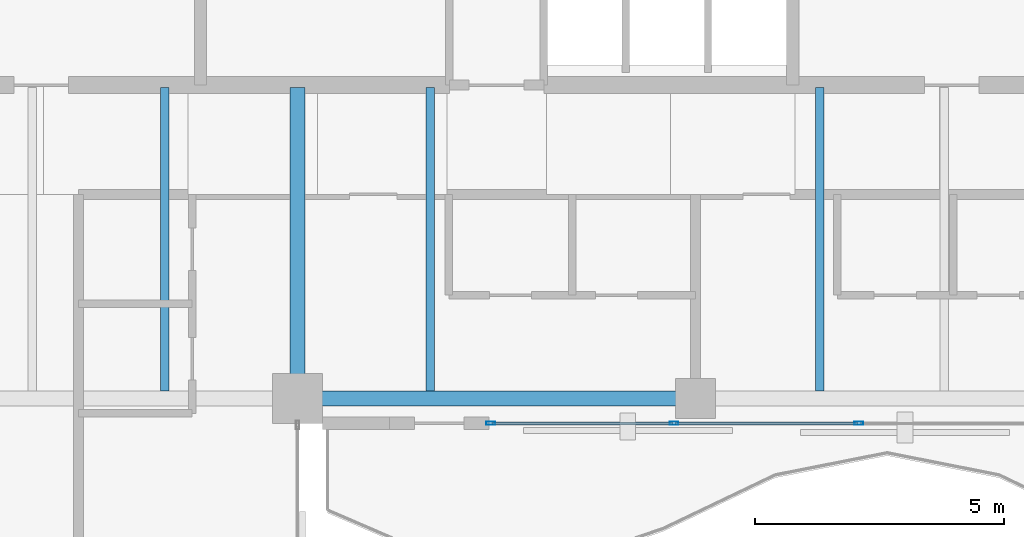
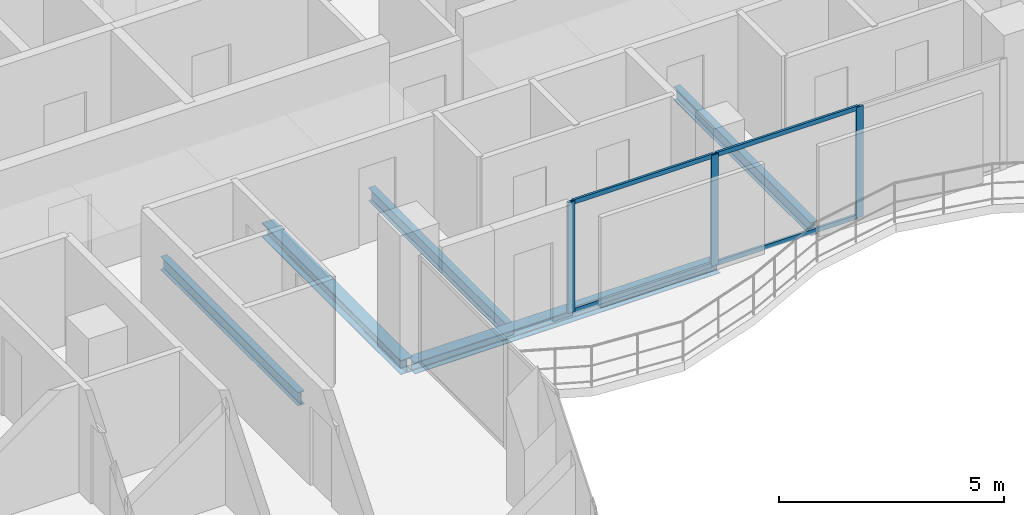
# One storey, part 11 of 24: 7 members, 5 beams, 1 element without a shape of its own.
"""IFC4 building model written with IfcOpenShell, lengths in metres."""

from ifc_helpers import new_model, si_unit, direction, frame, origin, origin_2d, place, context, subcontext, project, spatial, hollow_rectangle, i_section, extrude, material, layer, layer_set, material_profile, profile_set, type_object, element, aggregate, save


model = new_model("IFC4")

# Units and contexts
model_context = context("Model", 3, precision=1e-05, world=origin(), true_north=direction((0.0, 1.0)))
body_context = subcontext(model_context, "Body", "Model", "MODEL_VIEW")
ifc_project = project(units=[si_unit("LENGTHUNIT", "METRE"), si_unit("AREAUNIT", "SQUARE_METRE"), si_unit("VOLUMEUNIT", "CUBIC_METRE"), si_unit("PLANEANGLEUNIT", "RADIAN"), si_unit("MASSUNIT", "GRAM", prefix="KILO")], contexts=[model_context])

# Site, building, storey
site_placement = place(None, origin())
site = spatial("IfcSite", under=ifc_project, at=site_placement, CompositionType="ELEMENT")
building_placement = place(site_placement, origin())
building = spatial("IfcBuilding", under=site, at=building_placement, Name="Catumbela Crestline Tower", CompositionType="ELEMENT")
storey_placement = place(building_placement, frame((0.0, 0.0, 154.2)))
storey = spatial("IfcBuildingStorey", under=building, at=storey_placement, Name="L39", CompositionType="ELEMENT", Elevation=154.2)

# Beams
ifc_material_1 = material(Name="Structural steel S355J2", Category="steel")
ifc_material_profile_1 = material_profile(ifc_material_1, i_section(OverallWidth=0.3, OverallDepth=0.39, WebThickness=0.011, FlangeThickness=0.019, FilletRadius=0.027, at=origin_2d()), Name="HEA 400")
ifc_profile_set_1 = profile_set([ifc_material_profile_1], Name="Structural steel S355J2")
beam_type_1 = type_object("IfcBeamType", Name="BG-HEA400", PredefinedType="BEAM", material=ifc_profile_set_1)
beam_1_placement = place(storey_placement, frame((24.0, 24.58, -0.455), z_axis=(0.0, 1.0, 0.0), x_axis=(-1.0, 0.0, 0.0)))
element("IfcBeam", 1, at=beam_1_placement, inside=storey, type_object=beam_type_1, Name="L39 Beam BM-L39-SNS18", PredefinedType="BEAM", context=body_context, shape_type="SweptSolid", body=[
    extrude(i_section(OverallWidth=0.3, OverallDepth=0.39, WebThickness=0.011, FlangeThickness=0.019, FilletRadius=0.027, at=origin_2d()), origin(), (0.0, 0.0, 1.0), 6.17),
])
ifc_material_profile_2 = material_profile(ifc_material_1, i_section(OverallWidth=0.17, OverallDepth=0.36, WebThickness=0.008, FlangeThickness=0.0127, FilletRadius=0.018, at=origin_2d()), Name="IPE 360")
ifc_profile_set_2 = profile_set([ifc_material_profile_2], Name="Structural steel S355J2")
beam_type_2 = type_object("IfcBeamType", Name="BJ-IPE360", PredefinedType="JOIST", material=ifc_profile_set_2)
for number, where, z_axis, x_axis, name in (
    (2, (21.333, 24.647, -0.44), (0.0, 1.0, 0.0), (-1.0, 0.0, 0.0), "L39 Joist JS-L39-SP27"),
    (3, (26.667, 24.647, -0.44), (0.0, 1.0, 0.0), (-1.0, 0.0, 0.0), "L39 Joist JS-L39-SP28"),
    (4, (34.5, 24.647, -0.44), (0.0, 1.0, 0.0), (-1.0, 0.0, 0.0), "L39 Joist JS-L39-SP30"),
):
    element("IfcBeam", number, at=place(storey_placement, frame(where, z_axis=z_axis, x_axis=x_axis)), inside=storey, type_object=beam_type_2, Name=name, PredefinedType="JOIST", context=body_context, shape_type="SweptSolid", body=[
        extrude(i_section(OverallWidth=0.17, OverallDepth=0.36, WebThickness=0.008, FlangeThickness=0.0127, FilletRadius=0.018, at=origin_2d()), origin(), (0.0, 0.0, 1.0), 6.103),
    ])

# Curtain wall, members
ifc_material_2 = material(Name="Aluminium alloy AW-6060-T66", Category="aluminium")
ifc_layer = layer(ifc_material_2, 0.18, Name="Aluminium alloy AW-6060-T66")
ifc_layer_set = layer_set([ifc_layer], Name="Aluminium alloy AW-6060-T66")
curtain_wall_type = type_object("IfcCurtainWallType", Name="CWU-Z3", PredefinedType="USERDEFINED", material=ifc_layer_set)
curtain_wall_placement = place(storey_placement, origin())
curtain_wall = element("IfcCurtainWall", 5, at=curtain_wall_placement, inside=storey, type_object=curtain_wall_type, Name="L39 Unitised Curtain Wall CW-L39-E3S2", ObjectType="UNITISED", PredefinedType="USERDEFINED")
ifc_material_profile_3 = material_profile(ifc_material_2, hollow_rectangle(XDim=0.065, YDim=0.18, WallThickness=0.004, at=origin_2d()), Name="ALU 180x65x4")
ifc_profile_set_3 = profile_set([ifc_material_profile_3], Name="Aluminium alloy AW-6060-T66")
member_type_1 = type_object("IfcMemberType", Name="MUL-180X65", PredefinedType="MULLION", material=ifc_profile_set_3)
member_1_placement = place(storey_placement, frame((27.8825, 24.0, 0.0), z_axis=(0.0, 0.0, 1.0), x_axis=(0.0, 1.0, 0.0)))
member_1 = element("IfcMember", 6, at=member_1_placement, type_object=member_type_1, Name="CWU-Z3 mullion 1", PredefinedType="MULLION", context=body_context, shape_type="SweptSolid", body=[
    extrude(hollow_rectangle(XDim=0.065, YDim=0.18, WallThickness=0.004, at=origin_2d()), origin(), (0.0, 0.0, 1.0), 3.01),
])
member_2_placement = place(storey_placement, frame((31.5667, 24.0, 0.0), z_axis=(0.0, 0.0, 1.0), x_axis=(0.0, 1.0, 0.0)))
member_2 = element("IfcMember", 7, at=member_2_placement, type_object=member_type_1, Name="CWU-Z3 mullion 2", PredefinedType="MULLION", context=body_context, shape_type="SweptSolid", body=[
    extrude(hollow_rectangle(XDim=0.065, YDim=0.18, WallThickness=0.004, at=origin_2d()), origin(), (0.0, 0.0, 1.0), 3.01),
])
member_3_placement = place(storey_placement, frame((35.2833, 24.0, 0.0), z_axis=(0.0, 0.0, 1.0), x_axis=(0.0, 1.0, 0.0)))
member_3 = element("IfcMember", 8, at=member_3_placement, type_object=member_type_1, Name="CWU-Z3 mullion 3", PredefinedType="MULLION", context=body_context, shape_type="SweptSolid", body=[
    extrude(hollow_rectangle(XDim=0.065, YDim=0.18, WallThickness=0.004, at=origin_2d()), origin(), (0.0, 0.0, 1.0), 3.01),
])

# Beam
ifc_material_profile_4 = material_profile(ifc_material_1, i_section(OverallWidth=0.3, OverallDepth=0.31, WebThickness=0.009, FlangeThickness=0.0155, FilletRadius=0.027, at=origin_2d()), Name="HEA 320")
ifc_profile_set_4 = profile_set([ifc_material_profile_4], Name="Structural steel S355J2")
beam_type_3 = type_object("IfcBeamType", Name="BS-HEA320", PredefinedType="SPANDREL", material=ifc_profile_set_4)
beam_2_placement = place(storey_placement, frame((24.08, 24.5, -0.415), z_axis=(1.0, 0.0, 0.0), x_axis=(0.0, 1.0, 0.0)))
element("IfcBeam", 9, at=beam_2_placement, inside=storey, type_object=beam_type_3, Name="L39 Spandrel SP-L39-S04", PredefinedType="SPANDREL", context=body_context, shape_type="SweptSolid", body=[
    extrude(i_section(OverallWidth=0.3, OverallDepth=0.31, WebThickness=0.009, FlangeThickness=0.0155, FilletRadius=0.027, at=origin_2d()), origin(), (0.0, 0.0, 1.0), 7.84),
])

# Member
ifc_material_profile_5 = material_profile(ifc_material_2, hollow_rectangle(XDim=0.06, YDim=0.12, WallThickness=0.0035, at=origin_2d()), Name="ALU 120x60x3.5")
ifc_profile_set_5 = profile_set([ifc_material_profile_5], Name="Aluminium alloy AW-6060-T66")
member_type_2 = type_object("IfcMemberType", Name="TRN-120X60", PredefinedType="USERDEFINED", material=ifc_profile_set_5)
member_4_placement = place(storey_placement, frame((27.915, 24.0, 0.03), z_axis=(1.0, 0.0, 0.0), x_axis=(0.0, 1.0, 0.0)))
member_4 = element("IfcMember", 10, at=member_4_placement, type_object=member_type_2, Name="CWU-Z3 transom 1.1", ObjectType="TRANSOM", PredefinedType="USERDEFINED", context=body_context, shape_type="SweptSolid", body=[
    extrude(hollow_rectangle(XDim=0.06, YDim=0.12, WallThickness=0.0035, at=origin_2d()), origin(), (0.0, 0.0, 1.0), 3.6192),
])

member_5_placement = place(storey_placement, frame((27.915, 24.0, 2.98), z_axis=(1.0, 0.0, 0.0), x_axis=(0.0, 1.0, 0.0)))
member_5 = element("IfcMember", 11, at=member_5_placement, type_object=member_type_2, Name="CWU-Z3 transom 1.2", ObjectType="TRANSOM", PredefinedType="USERDEFINED", context=body_context, shape_type="SweptSolid", body=[
    extrude(hollow_rectangle(XDim=0.06, YDim=0.12, WallThickness=0.0035, at=origin_2d()), origin(), (0.0, 0.0, 1.0), 3.6192),
])

member_6_placement = place(storey_placement, frame((31.5992, 24.0, 0.03), z_axis=(1.0, 0.0, 0.0), x_axis=(0.0, 1.0, 0.0)))
member_6 = element("IfcMember", 12, at=member_6_placement, type_object=member_type_2, Name="CWU-Z3 transom 2.1", ObjectType="TRANSOM", PredefinedType="USERDEFINED", context=body_context, shape_type="SweptSolid", body=[
    extrude(hollow_rectangle(XDim=0.06, YDim=0.12, WallThickness=0.0035, at=origin_2d()), origin(), (0.0, 0.0, 1.0), 3.6516),
])

member_7_placement = place(storey_placement, frame((31.5992, 24.0, 2.98), z_axis=(1.0, 0.0, 0.0), x_axis=(0.0, 1.0, 0.0)))
member_7 = element("IfcMember", 13, at=member_7_placement, type_object=member_type_2, Name="CWU-Z3 transom 2.2", ObjectType="TRANSOM", PredefinedType="USERDEFINED", context=body_context, shape_type="SweptSolid", body=[
    extrude(hollow_rectangle(XDim=0.06, YDim=0.12, WallThickness=0.0035, at=origin_2d()), origin(), (0.0, 0.0, 1.0), 3.6516),
])

aggregate(curtain_wall, [member_1, member_2, member_3, member_4, member_5, member_6, member_7])

save(model, "model.ifc")
